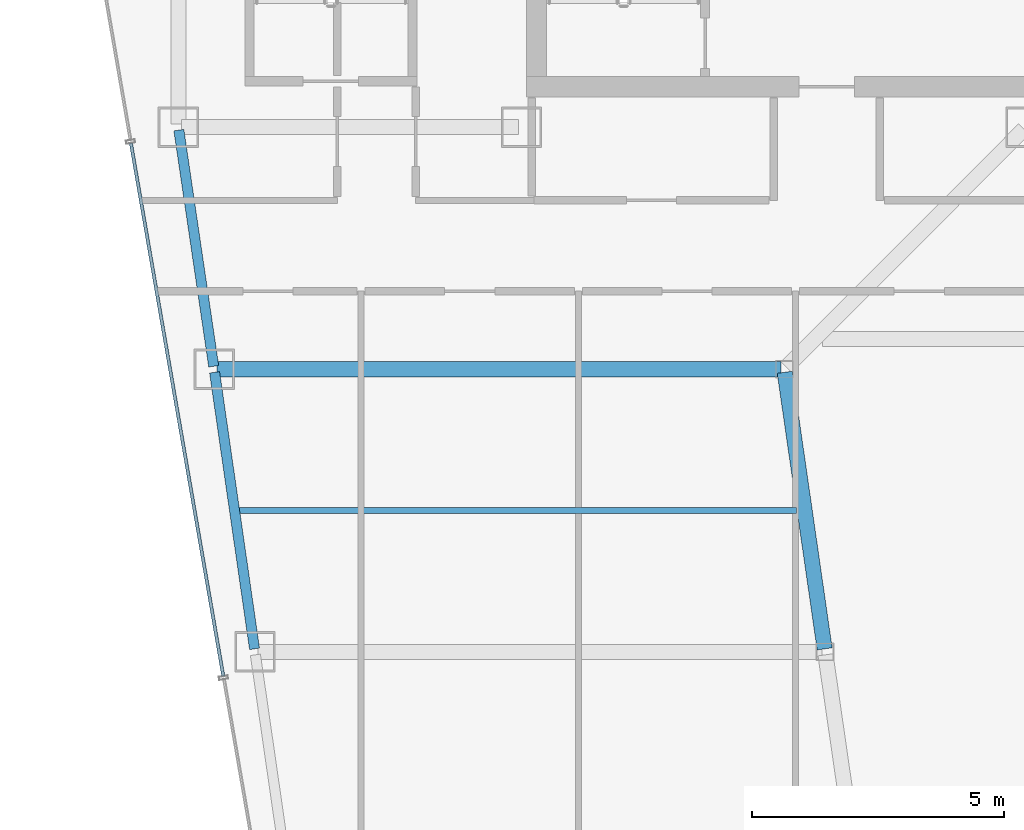
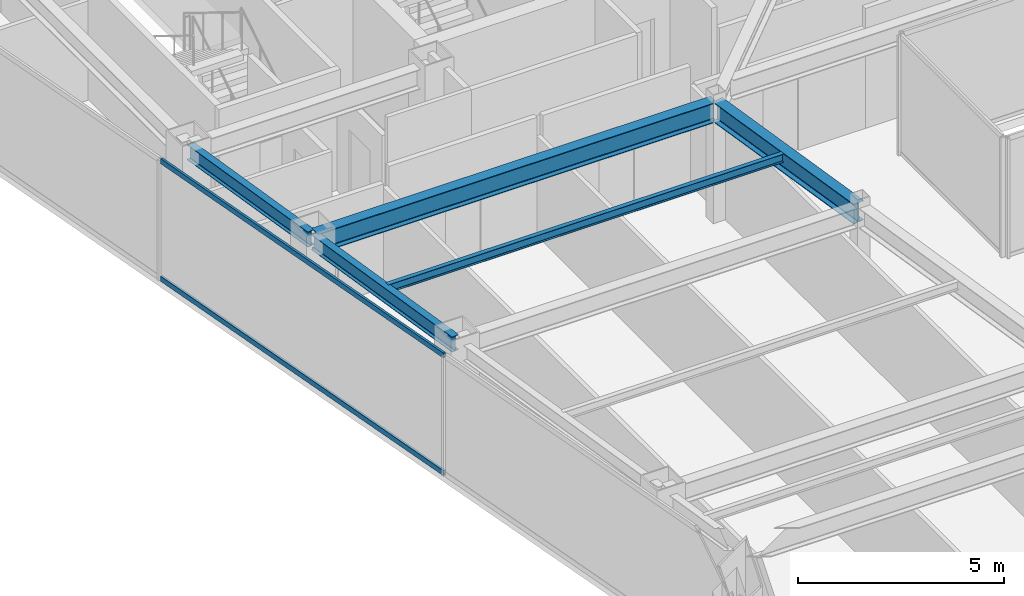
# One storey, part 7 of 33: 5 beams, 2 members, 1 element without a shape of its own.
"""IFC4 building model written with IfcOpenShell, lengths in metres."""

from ifc_helpers import new_model, si_unit, direction, frame, origin, origin_2d, place, context, subcontext, project, spatial, hollow_rectangle, i_section, extrude, material, material_profile, profile_set, type_object, element, aggregate, save


model = new_model("IFC4")

# Units and contexts
model_context = context("Model", 3, precision=1e-05, world=origin(), true_north=direction((0.0, 1.0)))
body_context = subcontext(model_context, "Body", "Model", "MODEL_VIEW")
ifc_project = project(units=[si_unit("LENGTHUNIT", "METRE"), si_unit("AREAUNIT", "SQUARE_METRE"), si_unit("VOLUMEUNIT", "CUBIC_METRE"), si_unit("PLANEANGLEUNIT", "RADIAN"), si_unit("MASSUNIT", "GRAM", prefix="KILO")], contexts=[model_context])

# Site, building, storey
site_placement = place(None, origin())
site = spatial("IfcSite", under=ifc_project, at=site_placement, CompositionType="ELEMENT")
building_placement = place(site_placement, origin())
building = spatial("IfcBuilding", under=site, at=building_placement, Name="Saevonmaru Cultural Tower", CompositionType="ELEMENT")
storey_placement = place(building_placement, frame((0.0, 0.0, 238.199951171875)))
storey = spatial("IfcBuildingStorey", under=building, at=storey_placement, Name="L55", CompositionType="ELEMENT", Elevation=238.199951171875)

# Beams
ifc_material_1 = material(Name="Steel SM355", Category="steel")
ifc_material_profile_1 = material_profile(ifc_material_1, i_section(OverallWidth=0.300048828125, OverallDepth=0.587890625, WebThickness=0.011962890625, FlangeThickness=0.02001953125, FilletRadius=0.02392578125, at=origin_2d()), Name="H-588x300x12x20")
ifc_profile_set_1 = profile_set([ifc_material_profile_1], Name="Steel SM355")
beam_type_1 = type_object("IfcBeamType", Name="BM-G-H588", PredefinedType="BEAM", material=ifc_profile_set_1)
beam_1_placement = place(storey_placement, frame((19.6083984375, 32.059326171875, 3.256103515625), z_axis=(-0.142964121327, 0.989727871697, 0.0), x_axis=(-0.989727871697, -0.142964121327, 0.0)))
element("IfcBeam", 1, at=beam_1_placement, inside=storey, type_object=beam_type_1, Name="L55 West Atrium Girder 3", PredefinedType="BEAM", context=body_context, shape_type="SweptSolid", body=[
    extrude(i_section(OverallWidth=0.300048828125, OverallDepth=0.587890625, WebThickness=0.011962890625, FlangeThickness=0.02001953125, FilletRadius=0.02392578125, at=origin_2d()), origin(), (0.0, 0.0, 1.0), 5.5380859375),
])
beam_2_placement = place(storey_placement, frame((7.568115234375, 37.60009765625, 3.256103515625), z_axis=(1.0, 0.0, 0.0), x_axis=(0.0, 1.0, 0.0)))
element("IfcBeam", 2, at=beam_2_placement, inside=storey, type_object=beam_type_1, Name="L55 West Wing Transverse Girder 4", PredefinedType="BEAM", context=body_context, shape_type="SweptSolid", body=[
    extrude(i_section(OverallWidth=0.300048828125, OverallDepth=0.587890625, WebThickness=0.011962890625, FlangeThickness=0.02001953125, FilletRadius=0.02392578125, at=origin_2d()), origin(), (0.0, 0.0, 1.0), 11.179931640625),
])
ifc_material_profile_2 = material_profile(ifc_material_1, i_section(OverallWidth=0.125, OverallDepth=0.25, WebThickness=0.006103515625, FlangeThickness=0.009033203125, FilletRadius=0.008056640625, at=origin_2d()), Name="H-250x125x6x9")
ifc_profile_set_2 = profile_set([ifc_material_profile_2], Name="Steel SM355")
beam_type_2 = type_object("IfcBeamType", Name="BM-J-H250", PredefinedType="JOIST", material=ifc_profile_set_2)
beam_3_placement = place(storey_placement, frame((7.972412109375, 34.800048828125, 3.425048828125), z_axis=(1.0, 0.0, 0.0), x_axis=(0.0, 1.0, 0.0)))
element("IfcBeam", 3, at=beam_3_placement, inside=storey, type_object=beam_type_2, Name="L55 West Wing Floor Joist 3", PredefinedType="JOIST", context=body_context, shape_type="SweptSolid", body=[
    extrude(i_section(OverallWidth=0.125, OverallDepth=0.25, WebThickness=0.006103515625, FlangeThickness=0.009033203125, FilletRadius=0.008056640625, at=origin_2d()), origin(), (0.0, 0.0, 1.0), 11.08203125),
])
ifc_material_profile_3 = material_profile(ifc_material_1, i_section(OverallWidth=0.199951171875, OverallDepth=0.449951171875, WebThickness=0.009033203125, FlangeThickness=0.013916015625, FilletRadius=0.01806640625, at=origin_2d()), Name="H-450x200x9x14")
ifc_profile_set_3 = profile_set([ifc_material_profile_3], Name="Steel SM355")
beam_type_3 = type_object("IfcBeamType", Name="BM-SP-H450", PredefinedType="SPANDREL", material=ifc_profile_set_3)
beam_4_placement = place(storey_placement, frame((8.308349609375, 32.059326171875, 3.324951171875), z_axis=(-0.142964121327, 0.989727871697, 0.0), x_axis=(-0.989727871697, -0.142964121327, 0.0)))
element("IfcBeam", 4, at=beam_4_placement, inside=storey, type_object=beam_type_3, Name="L55 West Splayed Spandrel 3", PredefinedType="SPANDREL", context=body_context, shape_type="SweptSolid", body=[
    extrude(i_section(OverallWidth=0.199951171875, OverallDepth=0.449951171875, WebThickness=0.009033203125, FlangeThickness=0.013916015625, FilletRadius=0.01806640625, at=origin_2d()), origin(), (0.0, 0.0, 1.0), 5.5380859375),
])
beam_5_placement = place(storey_placement, frame((7.499267578125, 37.659423828125, 3.324951171875), z_axis=(-0.145912860028, 0.989297446312, 0.0), x_axis=(-0.989297446312, -0.145912860028, 0.0)))
element("IfcBeam", 5, at=beam_5_placement, inside=storey, type_object=beam_type_3, Name="L55 West Splayed Spandrel 4", PredefinedType="SPANDREL", context=body_context, shape_type="SweptSolid", body=[
    extrude(i_section(OverallWidth=0.199951171875, OverallDepth=0.449951171875, WebThickness=0.009033203125, FlangeThickness=0.013916015625, FilletRadius=0.01806640625, at=origin_2d()), origin(), (0.0, 0.0, 1.0), 4.731689453125),
])

# Curtain wall, members
ifc_material_2 = material(Name="Satin Bronze Anodised Aluminium", Category="aluminium")
curtain_wall_type = type_object("IfcCurtainWallType", Name="CW-TYP-B", PredefinedType="NOTDEFINED", material=ifc_material_2)
curtain_wall_placement = place(storey_placement, origin())
curtain_wall = element("IfcCurtainWall", 6, at=curtain_wall_placement, inside=storey, type_object=curtain_wall_type, Name="L55 Unitised Curtain Wall E12", PredefinedType="NOTDEFINED")
ifc_material_profile_4 = material_profile(ifc_material_2, hollow_rectangle(XDim=0.06494140625, YDim=0.14990234375, WallThickness=0.00390625, at=origin_2d()), Name="ALU-TRAN-150x65x4")
ifc_profile_set_4 = profile_set([ifc_material_profile_4], Name="Satin Bronze Anodised Aluminium")
member_type = type_object("IfcMemberType", Name="TR-CW-150x65", PredefinedType="USERDEFINED", material=ifc_profile_set_4)
member_1_placement = place(storey_placement, frame((5.85791015625, 42.08154296875, 0.032470703125), z_axis=(0.170795272137, -0.985306538604, 0.0), x_axis=(0.985306538604, 0.170795272137, 0.0)))
member_1 = element("IfcMember", 7, at=member_1_placement, type_object=member_type, Name="CW-TW-L55-E12 transom 2.1", ObjectType="TRANSOM", PredefinedType="USERDEFINED", context=body_context, shape_type="SweptSolid", body=[
    extrude(hollow_rectangle(XDim=0.06494140625, YDim=0.14990234375, WallThickness=0.00390625, at=origin_2d()), origin(), (0.0, 0.0, 1.0), 10.720703125),
])
member_2_placement = place(storey_placement, frame((5.85791015625, 42.08154296875, 3.517578125), z_axis=(0.170795272137, -0.985306538604, 0.0), x_axis=(0.985306538604, 0.170795272137, 0.0)))
member_2 = element("IfcMember", 8, at=member_2_placement, type_object=member_type, Name="CW-TW-L55-E12 transom 2.2", ObjectType="TRANSOM", PredefinedType="USERDEFINED", context=body_context, shape_type="SweptSolid", body=[
    extrude(hollow_rectangle(XDim=0.06494140625, YDim=0.14990234375, WallThickness=0.00390625, at=origin_2d()), origin(), (0.0, 0.0, 1.0), 10.720703125),
])
aggregate(curtain_wall, [member_1, member_2])

save(model, "model.ifc")
